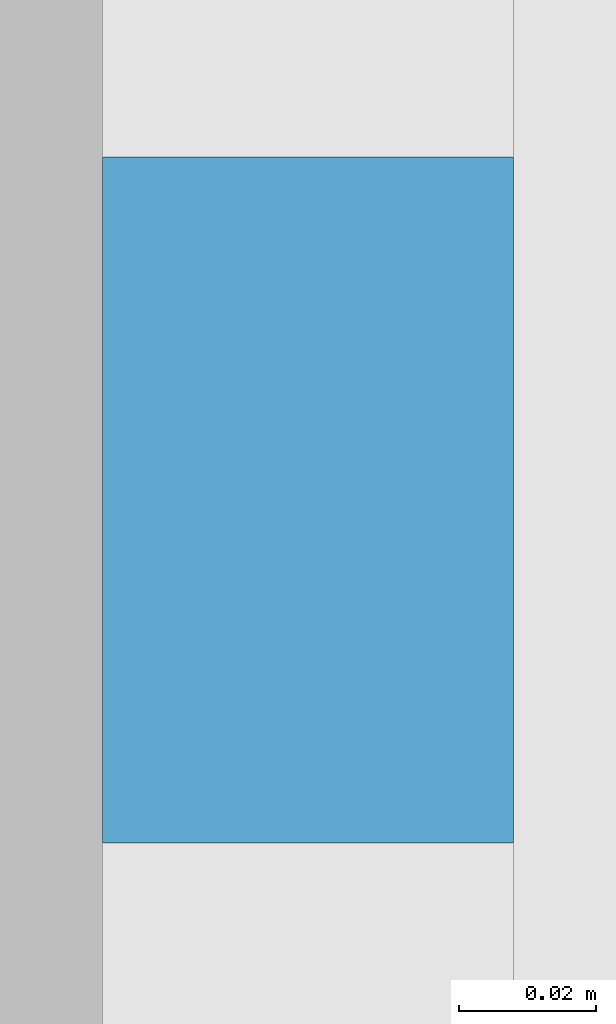
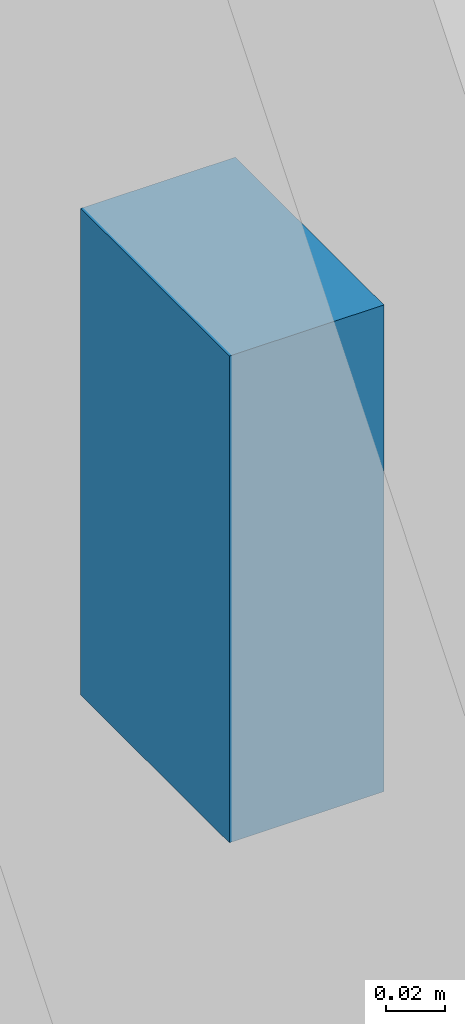
# One storey, part 6 of 9: 1 discrete accessory.
"""IFC4 building model written with IfcOpenShell, lengths in metres."""

import ifcopenshell
import ifcopenshell.guid

model = None  # the IFC model being written
_history = None  # IfcOwnerHistory: only IFC2X3 demands one
_inside = {}  # id of a spatial element -> (the spatial element, [elements in it])
_under = {}  # id of a project, library or spatial element -> (it, [spatial elements below it])
_declared = {}  # id of a project -> (the project, [libraries it declares])
_typed = {}  # id of a type object -> (the type object, [elements of that type])
_made_of = {}  # id of a material, layer set ... -> (it, [elements and type objects made of it])


def new_model(schema):
    """Start an empty IFC model of exactly this schema.

    Asked for "IFC4X3", IfcOpenShell would pick the latest addendum, in which some entities
    have other attributes; the version numbers below select the first issue.
    IFC2X3 requires an IfcOwnerHistory on every rooted entity: one is made here for all.
    """
    global model, _history
    if schema == "IFC4X3":
        model = ifcopenshell.file(schema_version=(4, 3, 0, 0))
    else:
        model = ifcopenshell.file(schema=schema)
    _inside.clear()
    _under.clear()
    _declared.clear()
    _typed.clear()
    _made_of.clear()
    _history = None
    if model.schema == "IFC2X3":
        org = make("IfcOrganization", Name="unknown")
        user = make(
            "IfcPersonAndOrganization",
            ThePerson=make("IfcPerson", FamilyName="unknown"),
            TheOrganization=org,
        )
        app = make(
            "IfcApplication",
            ApplicationDeveloper=org,
            Version="unknown",
            ApplicationFullName="unknown",
            ApplicationIdentifier="unknown",
        )
        _history = make(
            "IfcOwnerHistory",
            OwningUser=user,
            OwningApplication=app,
            ChangeAction="ADDED",
            CreationDate=0,
        )
    return model


def make(cls, **values):
    """One entity of the class cls with the attributes given. An attribute that is None is left unset."""
    return model.create_entity(
        cls, **{name: value for name, value in values.items() if value is not None}
    )


def rooted(cls, **values):
    """An entity with a GlobalId (a new one), such as an element, a storey or a relation."""
    return make(cls, GlobalId=ifcopenshell.guid.new(), OwnerHistory=_history, **values)


def si_unit(unit_type, name, prefix=None):
    """IfcSIUnit, for example si_unit("LENGTHUNIT", "METRE", prefix="MILLI")."""
    return make("IfcSIUnit", UnitType=unit_type, Prefix=prefix, Name=name)


def assignment(units):
    """IfcUnitAssignment: the units of a project."""
    return None if units is None else make("IfcUnitAssignment", Units=units)


def point(xyz):
    """IfcCartesianPoint."""
    return None if xyz is None else make("IfcCartesianPoint", Coordinates=xyz)


def direction(xyz):
    """IfcDirection."""
    return None if xyz is None else make("IfcDirection", DirectionRatios=xyz)


def frame(location, z_axis=None, x_axis=None):
    """IfcAxis2Placement3D, a coordinate frame: its origin and axes. An axis left out is left unset."""
    return make(
        "IfcAxis2Placement3D",
        Location=point(location),
        Axis=direction(z_axis),
        RefDirection=direction(x_axis),
    )


def frame_2d(location, x_axis=None):
    """IfcAxis2Placement2D, a coordinate frame in the plane: its origin and x axis."""
    return make(
        "IfcAxis2Placement2D", Location=point(location), RefDirection=direction(x_axis)
    )


def origin():
    """The frame at (0, 0, 0) with its axes left unset."""
    return frame((0.0, 0.0, 0.0))


def origin_2d():
    """The frame at (0, 0) in the plane with its x axis left unset."""
    return frame_2d((0.0, 0.0))


def place(relative_to, where):
    """IfcLocalPlacement: puts the frame where relative to a parent placement (None: the world)."""
    return make(
        "IfcLocalPlacement", PlacementRelTo=relative_to, RelativePlacement=where
    )


def context(
    kind, dimensions, precision=None, world=None, true_north=None, identifier=None
):
    """IfcGeometricRepresentationContext, for example the 3D "Model" context."""
    return make(
        "IfcGeometricRepresentationContext",
        ContextIdentifier=identifier,
        ContextType=kind,
        CoordinateSpaceDimension=dimensions,
        Precision=precision,
        WorldCoordinateSystem=world,
        TrueNorth=true_north,
    )


def subcontext(parent, identifier, kind, view, scale=None):
    """IfcGeometricRepresentationSubContext, for example "Body" below "Model"."""
    return make(
        "IfcGeometricRepresentationSubContext",
        ContextIdentifier=identifier,
        ContextType=kind,
        ParentContext=parent,
        TargetScale=scale,
        TargetView=view,
    )


def project(units=None, contexts=None):
    """IfcProject with its units and contexts."""
    return rooted(
        "IfcProject",
        Name="project",
        RepresentationContexts=contexts,
        UnitsInContext=assignment(units),
    )


def spatial(cls, under=None, at=None, **own):
    """A site, building, storey or space (cls), placed at a placement, below another one or the project."""
    s = rooted(cls, ObjectPlacement=at, **own)
    if under is not None:
        _under.setdefault(under.id(), (under, []))[1].append(s)
    return s


def profile(cls, at=None, kind="AREA", **sizes):
    """A parametric profile (cls). Its sizes go by their IFC names, for example OverallWidth=200.0."""
    return make(cls, ProfileType=kind, Position=at, **sizes)


def rectangle(**sizes):
    """IfcRectangleProfileDef."""
    return profile("IfcRectangleProfileDef", **sizes)


def extrude(swept, where, along, depth):
    """IfcExtrudedAreaSolid: the profile swept, set in the frame where, extruded along a direction by depth."""
    return make(
        "IfcExtrudedAreaSolid",
        SweptArea=swept,
        Position=where,
        ExtrudedDirection=direction(along),
        Depth=depth,
    )


def shape(context_of_items, identifier, shape_type, items):
    """IfcShapeRepresentation: the items that make up one representation, for example the "Body"."""
    return make(
        "IfcShapeRepresentation",
        ContextOfItems=context_of_items,
        RepresentationIdentifier=identifier,
        RepresentationType=shape_type,
        Items=items,
    )


def material(Name=None, Category=None):
    """IfcMaterial."""
    return make("IfcMaterial", Name=Name, Category=Category)


def made_of(thing, what):
    """Note that an element or type object is made of a material, layer set ...; save() writes the relation."""
    if what is not None:
        _made_of.setdefault(what.id(), (what, []))[1].append(thing)
    return thing


def type_object(cls, material=None, **own):
    """A type object (cls), such as IfcWallType, which elements share."""
    return made_of(rooted(cls, **own), material)


def element(
    cls,
    number,
    at=None,
    inside=None,
    cuts=None,
    type_object=None,
    material=None,
    context=None,
    identifier="Body",
    shape_type=None,
    held_by="IfcProductDefinitionShape",
    body=None,
    shapes=None,
    **own,
):
    """One element of the class cls, such as IfcWall. Its Tag is "e" and its number.

    at: its placement. inside: the storey or other place that contains it. cuts: it is an
    opening in that element (IfcRelVoidsElement). A single representation is given by context,
    identifier, shape_type and body (its items); several are given by shapes. held_by: the class
    of the entity that holds the representations. save() writes the other relations.
    """
    e = rooted(cls, Tag="e%d" % number, ObjectPlacement=at, **own)
    if body is not None:
        shapes = [shape(context, identifier, shape_type, body)]
    if shapes is not None:
        e.Representation = make(held_by, Representations=shapes)
    if inside is not None:
        _inside.setdefault(inside.id(), (inside, []))[1].append(e)
    if cuts is not None:
        rooted(
            "IfcRelVoidsElement", RelatingBuildingElement=cuts, RelatedOpeningElement=e
        )
    if type_object is not None:
        _typed.setdefault(type_object.id(), (type_object, []))[1].append(e)
    return made_of(e, material)


def aggregate(whole, parts):
    """IfcRelAggregates: a whole, such as a stair, and the parts it consists of."""
    return rooted("IfcRelAggregates", RelatingObject=whole, RelatedObjects=parts)


def save(model, path):
    """Write the relations noted so far, then the file.

    IfcRelAggregates (storeys below a building ...), IfcRelContainedInSpatialStructure (elements
    in a storey), IfcRelDefinesByType, IfcRelAssociatesMaterial and IfcRelDeclares: one each for
    every whole, place, type object, material and project.
    """
    for whole, parts in _under.values():
        aggregate(whole, parts)
    for where, things in _inside.values():
        rooted(
            "IfcRelContainedInSpatialStructure",
            RelatedElements=things,
            RelatingStructure=where,
        )
    for kind, things in _typed.values():
        rooted("IfcRelDefinesByType", RelatedObjects=things, RelatingType=kind)
    for what, things in _made_of.values():
        rooted("IfcRelAssociatesMaterial", RelatedObjects=things, RelatingMaterial=what)
    for by, libraries in _declared.values():
        rooted("IfcRelDeclares", RelatingContext=by, RelatedDefinitions=libraries)
    model.write(path)


model = new_model("IFC4")

# Units and contexts
model_context = context("Model", 3, precision=1e-05, world=origin(), true_north=direction((0.0, 1.0)))
body_context = subcontext(model_context, "Body", "Model", "MODEL_VIEW")
ifc_project = project(units=[si_unit("LENGTHUNIT", "METRE"), si_unit("AREAUNIT", "SQUARE_METRE"), si_unit("VOLUMEUNIT", "CUBIC_METRE"), si_unit("PLANEANGLEUNIT", "RADIAN"), si_unit("MASSUNIT", "GRAM", prefix="KILO")], contexts=[model_context])

# Site, building, storey
site_placement = place(None, origin())
site = spatial("IfcSite", under=ifc_project, at=site_placement, CompositionType="ELEMENT")
building_placement = place(site_placement, origin())
building = spatial("IfcBuilding", under=site, at=building_placement, Name="Finial Court Residences", CompositionType="ELEMENT")
storey_placement = place(building_placement, frame((0.0, 0.0, 248.300048828125)))
storey = spatial("IfcBuildingStorey", under=building, at=storey_placement, Name="L63", CompositionType="ELEMENT", Elevation=248.300048828125)

# Discrete accessory
ifc_material = material(Name="Stainless steel 316", Category="steel")
discrete_accessory_type = type_object("IfcDiscreteAccessoryType", Name="Fin bracket, stainless steel 100 x 60 x 200", PredefinedType="BRACKET", material=ifc_material)
discrete_accessory_placement = place(storey_placement, frame((19.530029296875, -13.5, 0.2998046875), z_axis=(0.0, 0.0, 1.0), x_axis=(1.0, 0.0, 0.0)))
element("IfcDiscreteAccessory", 1, at=discrete_accessory_placement, inside=storey, type_object=discrete_accessory_type, Name="E-L63-FIN-E8-BRK", PredefinedType="BRACKET", context=body_context, shape_type="SweptSolid", body=[
    extrude(rectangle(XDim=0.06005859375, YDim=0.10009765625, at=origin_2d()), origin(), (0.0, 0.0, 1.0), 0.199951171875),
])

save(model, "model.ifc")
